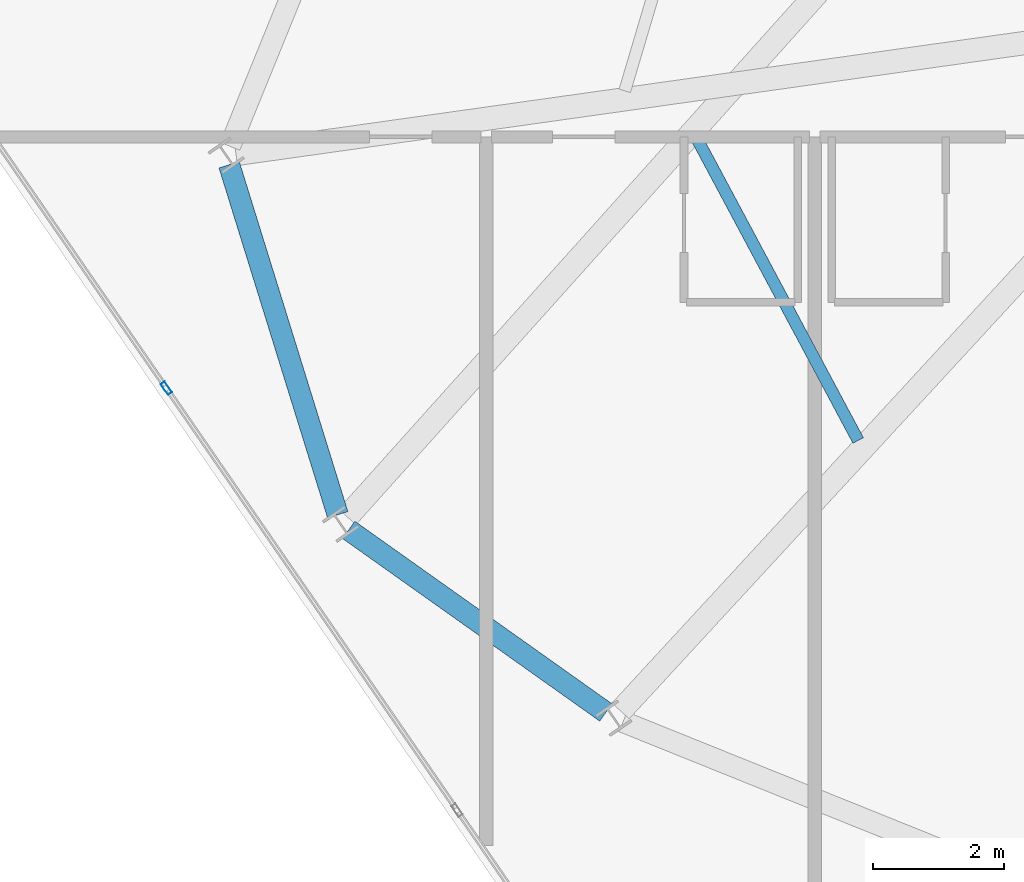
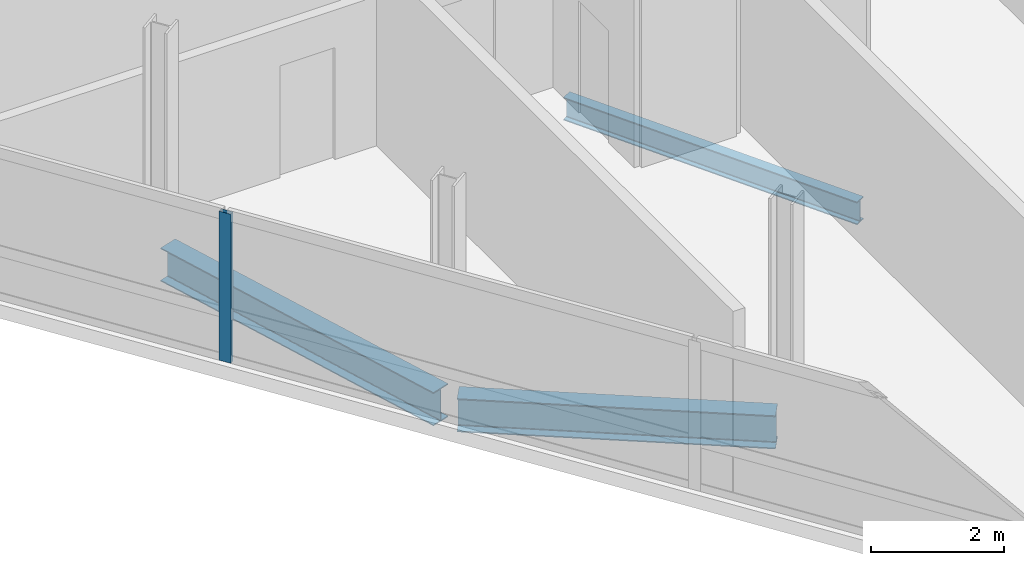
# One storey, part 5 of 22: 3 beams, 1 member, 1 element without a shape of its own.
"""IFC4 building model written with IfcOpenShell, lengths in metres."""

from ifc_helpers import new_model, si_unit, direction, frame, origin, origin_2d, place, context, subcontext, project, spatial, hollow_rectangle, i_section, extrude, material, layer, layer_set, material_profile, profile_set, type_object, element, aggregate, save


model = new_model("IFC4")

# Units and contexts
model_context = context("Model", 3, precision=1e-05, world=origin(), true_north=direction((0.0, 1.0)))
body_context = subcontext(model_context, "Body", "Model", "MODEL_VIEW")
ifc_project = project(units=[si_unit("LENGTHUNIT", "METRE"), si_unit("AREAUNIT", "SQUARE_METRE"), si_unit("VOLUMEUNIT", "CUBIC_METRE"), si_unit("PLANEANGLEUNIT", "RADIAN"), si_unit("MASSUNIT", "GRAM", prefix="KILO")], contexts=[model_context])

# Site, building, storey
site_placement = place(None, origin())
site = spatial("IfcSite", under=ifc_project, at=site_placement, CompositionType="ELEMENT")
building_placement = place(site_placement, origin())
building = spatial("IfcBuilding", under=site, at=building_placement, Name="Varnelok Gate Tower", CompositionType="ELEMENT")
storey_placement = place(building_placement, frame((0.0, 0.0, 280.39990234375)))
storey = spatial("IfcBuildingStorey", under=building, at=storey_placement, Name="L72", CompositionType="ELEMENT", Elevation=280.39990234375)

# Beams
ifc_material_1 = material(Name="Structural Steel ASTM A992 Grade 50", Category="steel")
ifc_material_profile_1 = material_profile(ifc_material_1, i_section(OverallWidth=0.180908203125, OverallDepth=0.4169921875, WebThickness=0.010986328125, FlangeThickness=0.018310546875, FilletRadius=0.013916015625, at=origin_2d()), Name="W16X57")
ifc_profile_set_1 = profile_set([ifc_material_profile_1], Name="Structural Steel ASTM A992 Grade 50")
beam_type_1 = type_object("IfcBeamType", Name="BM-JST-W16X57", PredefinedType="JOIST", material=ifc_profile_set_1)
beam_1_placement = place(storey_placement, frame((15.71435546875, 16.8076171875, -0.45849609375), z_axis=(0.471300945999, -0.881972458924, 0.0), x_axis=(0.881972458924, 0.471300945999, 0.0)))
element("IfcBeam", 1, at=beam_1_placement, inside=storey, type_object=beam_type_1, Name="L72 Sector Floor Joist 14", PredefinedType="JOIST", context=body_context, shape_type="SweptSolid", body=[
    extrude(i_section(OverallWidth=0.180908203125, OverallDepth=0.4169921875, WebThickness=0.010986328125, FlangeThickness=0.018310546875, FilletRadius=0.013916015625, at=origin_2d()), origin(), (0.0, 0.0, 1.0), 5.1904296875),
])
ifc_material_profile_2 = material_profile(ifc_material_1, i_section(OverallWidth=0.323974609375, OverallDepth=0.611083984375, WebThickness=0.0126953125, FlangeThickness=0.01904296875, FilletRadius=0.01806640625, at=origin_2d()), Name="W24X104")
ifc_profile_set_2 = profile_set([ifc_material_profile_2], Name="Structural Steel ASTM A992 Grade 50")
beam_type_2 = type_object("IfcBeamType", Name="BM-SPN-W24X104", PredefinedType="SPANDREL", material=ifc_profile_set_2)
beam_2_placement = place(storey_placement, frame((8.587646484375, 16.42529296875, -0.555419921875), z_axis=(0.296300068239, -0.955094900814, 0.0), x_axis=(0.955094900814, 0.296300068239, 0.0)))
element("IfcBeam", 2, at=beam_2_placement, inside=storey, type_object=beam_type_2, Name="L72 Perimeter Spandrel Beam 14", PredefinedType="SPANDREL", context=body_context, shape_type="SweptSolid", body=[
    extrude(i_section(OverallWidth=0.323974609375, OverallDepth=0.611083984375, WebThickness=0.0126953125, FlangeThickness=0.01904296875, FilletRadius=0.01806640625, at=origin_2d()), origin(), (0.0, 0.0, 1.0), 5.57666015625),
])
beam_3_placement = place(storey_placement, frame((10.40673828125, 10.868896484375, -0.555419921875), z_axis=(0.815431243688, -0.57885394256, 0.0), x_axis=(0.57885394256, 0.815431243688, 0.0)))
element("IfcBeam", 3, at=beam_3_placement, inside=storey, type_object=beam_type_2, Name="L72 Perimeter Spandrel Beam 15", PredefinedType="SPANDREL", context=body_context, shape_type="SweptSolid", body=[
    extrude(i_section(OverallWidth=0.323974609375, OverallDepth=0.611083984375, WebThickness=0.0126953125, FlangeThickness=0.01904296875, FilletRadius=0.01806640625, at=origin_2d()), origin(), (0.0, 0.0, 1.0), 4.7998046875),
])

# Curtain wall, member
ifc_material_2 = material(Name="Anodized Aluminum Alloy 6063-T6", Category="aluminium")
ifc_layer = layer(ifc_material_2, 0.179931640625)
ifc_layer_set = layer_set([ifc_layer], Name="Anodized Aluminum Alloy 6063-T6")
curtain_wall_type = type_object("IfcCurtainWallType", Name="CW4-RESIDENCE-VISION", PredefinedType="USERDEFINED", material=ifc_layer_set)
curtain_wall_placement = place(storey_placement, origin())
curtain_wall = element("IfcCurtainWall", 4, at=curtain_wall_placement, inside=storey, type_object=curtain_wall_type, Name="L72 West End Vision Curtain Wall", ObjectType="UNITISED CURTAIN WALL", PredefinedType="USERDEFINED")
ifc_material_profile_3 = material_profile(ifc_material_2, hollow_rectangle(XDim=0.074951171875, YDim=0.199951171875, WallThickness=0.00390625, at=origin_2d()), Name="ALU200X75X4")
ifc_profile_set_3 = profile_set([ifc_material_profile_3], Name="Anodized Aluminum Alloy 6063-T6")
member_type = type_object("IfcMemberType", Name="CW-MULL-200", PredefinedType="MULLION", material=ifc_profile_set_3)
member_placement = place(storey_placement, frame((7.631591796875, 13.0263671875, 0.0), z_axis=(0.0, 0.0, 1.0), x_axis=(-0.823532290241, -0.567269395376, 0.0)))
member = element("IfcMember", 5, at=member_placement, type_object=member_type, Name="CW4 mullion 4", PredefinedType="MULLION", context=body_context, shape_type="SweptSolid", body=[
    extrude(hollow_rectangle(XDim=0.074951171875, YDim=0.199951171875, WallThickness=0.00390625, at=origin_2d()), origin(), (0.0, 0.0, 1.0), 2.72998046875),
])
aggregate(curtain_wall, [member])

save(model, "model.ifc")
